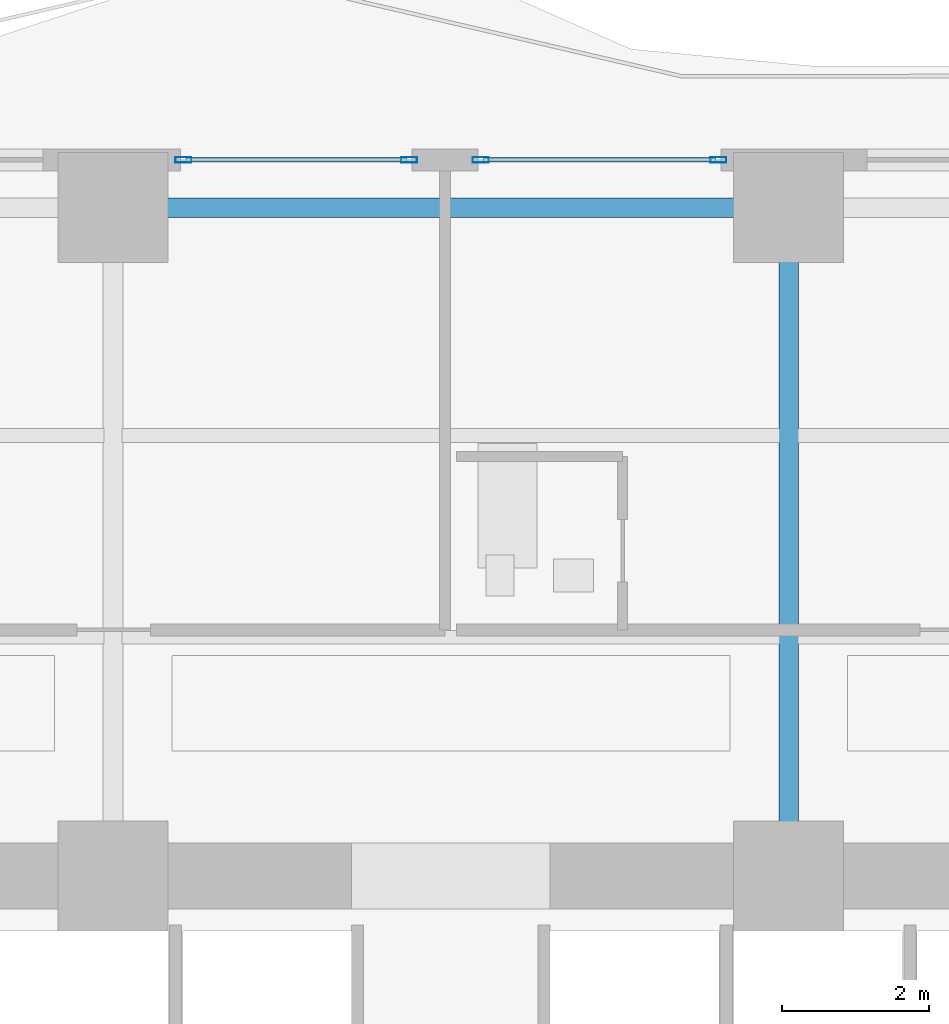
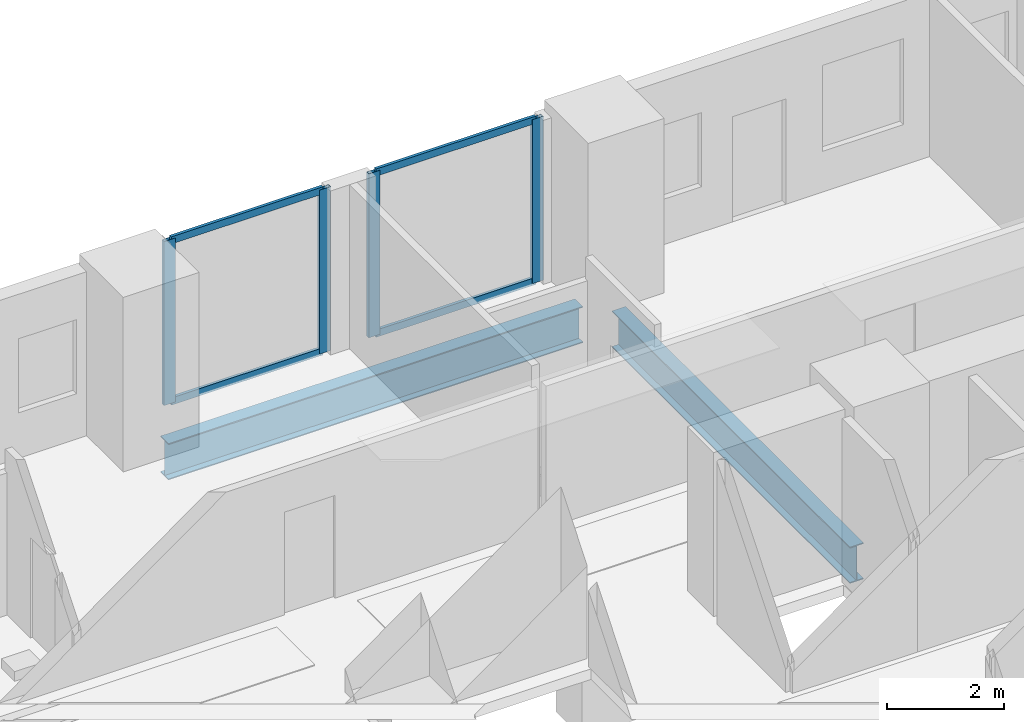
# One storey, part 15 of 28: 8 members, 2 beams, 2 elements without a shape of their own.
"""IFC4 building model written with IfcOpenShell, lengths in metres."""

import ifcopenshell
import ifcopenshell.guid

model = None  # the IFC model being written
_history = None  # IfcOwnerHistory: only IFC2X3 demands one
_inside = {}  # id of a spatial element -> (the spatial element, [elements in it])
_under = {}  # id of a project, library or spatial element -> (it, [spatial elements below it])
_declared = {}  # id of a project -> (the project, [libraries it declares])
_typed = {}  # id of a type object -> (the type object, [elements of that type])
_made_of = {}  # id of a material, layer set ... -> (it, [elements and type objects made of it])


def new_model(schema):
    """Start an empty IFC model of exactly this schema.

    Asked for "IFC4X3", IfcOpenShell would pick the latest addendum, in which some entities
    have other attributes; the version numbers below select the first issue.
    IFC2X3 requires an IfcOwnerHistory on every rooted entity: one is made here for all.
    """
    global model, _history
    if schema == "IFC4X3":
        model = ifcopenshell.file(schema_version=(4, 3, 0, 0))
    else:
        model = ifcopenshell.file(schema=schema)
    _inside.clear()
    _under.clear()
    _declared.clear()
    _typed.clear()
    _made_of.clear()
    _history = None
    if model.schema == "IFC2X3":
        org = make("IfcOrganization", Name="unknown")
        user = make(
            "IfcPersonAndOrganization",
            ThePerson=make("IfcPerson", FamilyName="unknown"),
            TheOrganization=org,
        )
        app = make(
            "IfcApplication",
            ApplicationDeveloper=org,
            Version="unknown",
            ApplicationFullName="unknown",
            ApplicationIdentifier="unknown",
        )
        _history = make(
            "IfcOwnerHistory",
            OwningUser=user,
            OwningApplication=app,
            ChangeAction="ADDED",
            CreationDate=0,
        )
    return model


def make(cls, **values):
    """One entity of the class cls with the attributes given. An attribute that is None is left unset."""
    return model.create_entity(
        cls, **{name: value for name, value in values.items() if value is not None}
    )


def rooted(cls, **values):
    """An entity with a GlobalId (a new one), such as an element, a storey or a relation."""
    return make(cls, GlobalId=ifcopenshell.guid.new(), OwnerHistory=_history, **values)


def si_unit(unit_type, name, prefix=None):
    """IfcSIUnit, for example si_unit("LENGTHUNIT", "METRE", prefix="MILLI")."""
    return make("IfcSIUnit", UnitType=unit_type, Prefix=prefix, Name=name)


def assignment(units):
    """IfcUnitAssignment: the units of a project."""
    return None if units is None else make("IfcUnitAssignment", Units=units)


def point(xyz):
    """IfcCartesianPoint."""
    return None if xyz is None else make("IfcCartesianPoint", Coordinates=xyz)


def direction(xyz):
    """IfcDirection."""
    return None if xyz is None else make("IfcDirection", DirectionRatios=xyz)


def frame(location, z_axis=None, x_axis=None):
    """IfcAxis2Placement3D, a coordinate frame: its origin and axes. An axis left out is left unset."""
    return make(
        "IfcAxis2Placement3D",
        Location=point(location),
        Axis=direction(z_axis),
        RefDirection=direction(x_axis),
    )


def frame_2d(location, x_axis=None):
    """IfcAxis2Placement2D, a coordinate frame in the plane: its origin and x axis."""
    return make(
        "IfcAxis2Placement2D", Location=point(location), RefDirection=direction(x_axis)
    )


def origin():
    """The frame at (0, 0, 0) with its axes left unset."""
    return frame((0.0, 0.0, 0.0))


def origin_2d():
    """The frame at (0, 0) in the plane with its x axis left unset."""
    return frame_2d((0.0, 0.0))


def place(relative_to, where):
    """IfcLocalPlacement: puts the frame where relative to a parent placement (None: the world)."""
    return make(
        "IfcLocalPlacement", PlacementRelTo=relative_to, RelativePlacement=where
    )


def context(
    kind, dimensions, precision=None, world=None, true_north=None, identifier=None
):
    """IfcGeometricRepresentationContext, for example the 3D "Model" context."""
    return make(
        "IfcGeometricRepresentationContext",
        ContextIdentifier=identifier,
        ContextType=kind,
        CoordinateSpaceDimension=dimensions,
        Precision=precision,
        WorldCoordinateSystem=world,
        TrueNorth=true_north,
    )


def subcontext(parent, identifier, kind, view, scale=None):
    """IfcGeometricRepresentationSubContext, for example "Body" below "Model"."""
    return make(
        "IfcGeometricRepresentationSubContext",
        ContextIdentifier=identifier,
        ContextType=kind,
        ParentContext=parent,
        TargetScale=scale,
        TargetView=view,
    )


def project(units=None, contexts=None):
    """IfcProject with its units and contexts."""
    return rooted(
        "IfcProject",
        Name="project",
        RepresentationContexts=contexts,
        UnitsInContext=assignment(units),
    )


def spatial(cls, under=None, at=None, **own):
    """A site, building, storey or space (cls), placed at a placement, below another one or the project."""
    s = rooted(cls, ObjectPlacement=at, **own)
    if under is not None:
        _under.setdefault(under.id(), (under, []))[1].append(s)
    return s


def profile(cls, at=None, kind="AREA", **sizes):
    """A parametric profile (cls). Its sizes go by their IFC names, for example OverallWidth=200.0."""
    return make(cls, ProfileType=kind, Position=at, **sizes)


def hollow_rectangle(**sizes):
    """IfcRectangleHollowProfileDef."""
    return profile("IfcRectangleHollowProfileDef", **sizes)


def i_section(**sizes):
    """IfcIShapeProfileDef."""
    return profile("IfcIShapeProfileDef", **sizes)


def extrude(swept, where, along, depth):
    """IfcExtrudedAreaSolid: the profile swept, set in the frame where, extruded along a direction by depth."""
    return make(
        "IfcExtrudedAreaSolid",
        SweptArea=swept,
        Position=where,
        ExtrudedDirection=direction(along),
        Depth=depth,
    )


def shape(context_of_items, identifier, shape_type, items):
    """IfcShapeRepresentation: the items that make up one representation, for example the "Body"."""
    return make(
        "IfcShapeRepresentation",
        ContextOfItems=context_of_items,
        RepresentationIdentifier=identifier,
        RepresentationType=shape_type,
        Items=items,
    )


def material(Name=None, Category=None):
    """IfcMaterial."""
    return make("IfcMaterial", Name=Name, Category=Category)


def layer(
    of_material, thickness, ventilated=None, Name=None, Category=None, Priority=None
):
    """IfcMaterialLayer: one layer of a wall or slab, of a material (None: an air gap)."""
    return make(
        "IfcMaterialLayer",
        Material=of_material,
        LayerThickness=thickness,
        IsVentilated=ventilated,
        Name=Name,
        Category=Category,
        Priority=Priority,
    )


def layer_set(layers, Name=None):
    """IfcMaterialLayerSet."""
    return make("IfcMaterialLayerSet", MaterialLayers=layers, LayerSetName=Name)


def material_profile(
    of_material, cross_section, Name=None, Category=None, Priority=None
):
    """IfcMaterialProfile: a cross section and its material."""
    return make(
        "IfcMaterialProfile",
        Name=Name,
        Material=of_material,
        Profile=cross_section,
        Priority=Priority,
        Category=Category,
    )


def profile_set(profiles, Name=None, composite=None):
    """IfcMaterialProfileSet."""
    return make(
        "IfcMaterialProfileSet",
        Name=Name,
        MaterialProfiles=profiles,
        CompositeProfile=composite,
    )


def made_of(thing, what):
    """Note that an element or type object is made of a material, layer set ...; save() writes the relation."""
    if what is not None:
        _made_of.setdefault(what.id(), (what, []))[1].append(thing)
    return thing


def type_object(cls, material=None, **own):
    """A type object (cls), such as IfcWallType, which elements share."""
    return made_of(rooted(cls, **own), material)


def element(
    cls,
    number,
    at=None,
    inside=None,
    cuts=None,
    type_object=None,
    material=None,
    context=None,
    identifier="Body",
    shape_type=None,
    held_by="IfcProductDefinitionShape",
    body=None,
    shapes=None,
    **own,
):
    """One element of the class cls, such as IfcWall. Its Tag is "e" and its number.

    at: its placement. inside: the storey or other place that contains it. cuts: it is an
    opening in that element (IfcRelVoidsElement). A single representation is given by context,
    identifier, shape_type and body (its items); several are given by shapes. held_by: the class
    of the entity that holds the representations. save() writes the other relations.
    """
    e = rooted(cls, Tag="e%d" % number, ObjectPlacement=at, **own)
    if body is not None:
        shapes = [shape(context, identifier, shape_type, body)]
    if shapes is not None:
        e.Representation = make(held_by, Representations=shapes)
    if inside is not None:
        _inside.setdefault(inside.id(), (inside, []))[1].append(e)
    if cuts is not None:
        rooted(
            "IfcRelVoidsElement", RelatingBuildingElement=cuts, RelatedOpeningElement=e
        )
    if type_object is not None:
        _typed.setdefault(type_object.id(), (type_object, []))[1].append(e)
    return made_of(e, material)


def aggregate(whole, parts):
    """IfcRelAggregates: a whole, such as a stair, and the parts it consists of."""
    return rooted("IfcRelAggregates", RelatingObject=whole, RelatedObjects=parts)


def save(model, path):
    """Write the relations noted so far, then the file.

    IfcRelAggregates (storeys below a building ...), IfcRelContainedInSpatialStructure (elements
    in a storey), IfcRelDefinesByType, IfcRelAssociatesMaterial and IfcRelDeclares: one each for
    every whole, place, type object, material and project.
    """
    for whole, parts in _under.values():
        aggregate(whole, parts)
    for where, things in _inside.values():
        rooted(
            "IfcRelContainedInSpatialStructure",
            RelatedElements=things,
            RelatingStructure=where,
        )
    for kind, things in _typed.values():
        rooted("IfcRelDefinesByType", RelatedObjects=things, RelatingType=kind)
    for what, things in _made_of.values():
        rooted("IfcRelAssociatesMaterial", RelatedObjects=things, RelatingMaterial=what)
    for by, libraries in _declared.values():
        rooted("IfcRelDeclares", RelatingContext=by, RelatedDefinitions=libraries)
    model.write(path)


model = new_model("IFC4")

# Units and contexts
model_context = context("Model", 3, precision=1e-05, world=origin(), true_north=direction((0.0, 1.0)))
body_context = subcontext(model_context, "Body", "Model", "MODEL_VIEW")
ifc_project = project(units=[si_unit("LENGTHUNIT", "METRE"), si_unit("AREAUNIT", "SQUARE_METRE"), si_unit("VOLUMEUNIT", "CUBIC_METRE"), si_unit("PLANEANGLEUNIT", "RADIAN"), si_unit("MASSUNIT", "GRAM", prefix="KILO")], contexts=[model_context])

# Site, building, storey
site_placement = place(None, origin())
site = spatial("IfcSite", under=ifc_project, at=site_placement, CompositionType="ELEMENT")
building_placement = place(site_placement, origin())
building = spatial("IfcBuilding", under=site, at=building_placement, Name="Zuhayl Quay Hotel", CompositionType="ELEMENT")
storey_placement = place(building_placement, frame((0.0, 0.0, 71.39990234375)))
storey = spatial("IfcBuildingStorey", under=building, at=storey_placement, Name="L17", CompositionType="ELEMENT", Elevation=71.39990234375)

# Beams
ifc_material_1 = material(Name="Steel ASTM A992 Grade 50", Category="steel")
ifc_material_profile_1 = material_profile(ifc_material_1, i_section(OverallWidth=0.26708984375, OverallDepth=0.761962890625, WebThickness=0.014404296875, FlangeThickness=0.021484375, at=origin_2d()), Name="W30X116")
ifc_profile_set_1 = profile_set([ifc_material_profile_1], Name="Steel ASTM A992 Grade 50")
beam_type = type_object("IfcBeamType", Name="BM_B1_W30X116", PredefinedType="BEAM", material=ifc_profile_set_1)
beam_1_placement = place(storey_placement, frame((4.10009765625, 22.449951171875, -0.600830078125), z_axis=(-1.0, 0.0, 0.0), x_axis=(0.0, -1.0, 0.0)))
element("IfcBeam", 1, at=beam_1_placement, inside=storey, type_object=beam_type, Name="L17 Floor Beam RG_L17_08", PredefinedType="BEAM", context=body_context, shape_type="SweptSolid", body=[
    extrude(i_section(OverallWidth=0.26708984375, OverallDepth=0.761962890625, WebThickness=0.014404296875, FlangeThickness=0.021484375, at=origin_2d()), origin(), (0.0, 0.0, 1.0), 8.2001953125),
])
beam_2_placement = place(storey_placement, frame((4.60009765625, 13.800048828125, -0.600830078125), z_axis=(0.0, 1.0, 0.0), x_axis=(-1.0, 0.0, 0.0)))
element("IfcBeam", 2, at=beam_2_placement, inside=storey, type_object=beam_type, Name="L17 Floor Beam FG_N_L17_3", PredefinedType="BEAM", context=body_context, shape_type="SweptSolid", body=[
    extrude(i_section(OverallWidth=0.26708984375, OverallDepth=0.761962890625, WebThickness=0.014404296875, FlangeThickness=0.021484375, at=origin_2d()), origin(), (0.0, 0.0, 1.0), 8.14990234375),
])

# Curtain wall, members
ifc_material_2 = material(Name="Anodised Aluminium 6063-T6", Category="aluminium")
ifc_layer = layer(ifc_material_2, 0.18994140625, Name="Anodised Aluminium 6063-T6", Category="aluminium")
ifc_layer_set = layer_set([ifc_layer], Name="Anodised Aluminium 6063-T6")
curtain_wall_type = type_object("IfcCurtainWallType", Name="CW_SYS_Z1", PredefinedType="USERDEFINED", material=ifc_layer_set)
curtain_wall_1_placement = place(storey_placement, origin())
curtain_wall_1 = element("IfcCurtainWall", 3, at=curtain_wall_1_placement, inside=storey, type_object=curtain_wall_type, Name="L17 Curtain Wall ENV_L17_N_CW2", ObjectType="UNITISED CURTAIN WALL", PredefinedType="USERDEFINED")
ifc_material_3 = material(Name="Black-anodised aluminium 6063-T6", Category="aluminium")
ifc_material_profile_2 = material_profile(ifc_material_3, hollow_rectangle(XDim=0.074951171875, YDim=0.219970703125, WallThickness=0.00390625, at=origin_2d()), Name="ALU220X75")
ifc_profile_set_2 = profile_set([ifc_material_profile_2], Name="Black-anodised aluminium 6063-T6")
member_type_1 = type_object("IfcMemberType", Name="MB_CW_MUL_220", PredefinedType="MULLION", material=ifc_profile_set_2)
member_1_placement = place(storey_placement, frame((-3.642578125, 23.10009765625, 0.0), z_axis=(0.0, 0.0, 1.0), x_axis=(0.0, 1.0, 0.0)))
member_1 = element("IfcMember", 4, at=member_1_placement, type_object=member_type_1, Name="CW-Z1 mullion 1", PredefinedType="MULLION", context=body_context, shape_type="SweptSolid", body=[
    extrude(hollow_rectangle(XDim=0.074951171875, YDim=0.219970703125, WallThickness=0.00390625, at=origin_2d()), origin(), (0.0, 0.0, 1.0), 3.43017578125),
])
member_2_placement = place(storey_placement, frame((-0.5673828125, 23.10009765625, 0.0), z_axis=(0.0, 0.0, 1.0), x_axis=(0.0, 1.0, 0.0)))
member_2 = element("IfcMember", 5, at=member_2_placement, type_object=member_type_1, Name="CW-Z1 mullion 2", PredefinedType="MULLION", context=body_context, shape_type="SweptSolid", body=[
    extrude(hollow_rectangle(XDim=0.074951171875, YDim=0.219970703125, WallThickness=0.00390625, at=origin_2d()), origin(), (0.0, 0.0, 1.0), 3.43017578125),
])

curtain_wall_2_placement = place(storey_placement, origin())
curtain_wall_2 = element("IfcCurtainWall", 6, at=curtain_wall_2_placement, inside=storey, type_object=curtain_wall_type, Name="L17 Curtain Wall ENV_L17_N_CW3", ObjectType="UNITISED CURTAIN WALL", PredefinedType="USERDEFINED")
member_3_placement = place(storey_placement, frame((0.407470703125, 23.10009765625, 0.0), z_axis=(0.0, 0.0, 1.0), x_axis=(0.0, 1.0, 0.0)))
member_3 = element("IfcMember", 7, at=member_3_placement, type_object=member_type_1, Name="CW-Z1 mullion 1", PredefinedType="MULLION", context=body_context, shape_type="SweptSolid", body=[
    extrude(hollow_rectangle(XDim=0.074951171875, YDim=0.219970703125, WallThickness=0.00390625, at=origin_2d()), origin(), (0.0, 0.0, 1.0), 3.43017578125),
])
member_4_placement = place(storey_placement, frame((3.642578125, 23.10009765625, 0.0), z_axis=(0.0, 0.0, 1.0), x_axis=(0.0, 1.0, 0.0)))
member_4 = element("IfcMember", 8, at=member_4_placement, type_object=member_type_1, Name="CW-Z1 mullion 2", PredefinedType="MULLION", context=body_context, shape_type="SweptSolid", body=[
    extrude(hollow_rectangle(XDim=0.074951171875, YDim=0.219970703125, WallThickness=0.00390625, at=origin_2d()), origin(), (0.0, 0.0, 1.0), 3.43017578125),
])

# Member
ifc_material_profile_3 = material_profile(ifc_material_3, hollow_rectangle(XDim=0.06005859375, YDim=0.14990234375, WallThickness=0.00341796875, at=origin_2d()), Name="ALU150X60")
ifc_profile_set_3 = profile_set([ifc_material_profile_3], Name="Black-anodised aluminium 6063-T6")
member_type_2 = type_object("IfcMemberType", Name="MB_CW_TRN_150", PredefinedType="USERDEFINED", material=ifc_profile_set_3)
member_5_placement = place(storey_placement, frame((-3.60498046875, 23.10009765625, 0.030029296875), z_axis=(1.0, 0.0, 0.0), x_axis=(0.0, 1.0, 0.0)))
member_5 = element("IfcMember", 9, at=member_5_placement, type_object=member_type_2, Name="CW-Z1 transom 1.1", ObjectType="TRANSOM", PredefinedType="USERDEFINED", context=body_context, shape_type="SweptSolid", body=[
    extrude(hollow_rectangle(XDim=0.06005859375, YDim=0.14990234375, WallThickness=0.00341796875, at=origin_2d()), origin(), (0.0, 0.0, 1.0), 3.0),
])

member_6_placement = place(storey_placement, frame((-3.60498046875, 23.10009765625, 3.400146484375), z_axis=(1.0, 0.0, 0.0), x_axis=(0.0, 1.0, 0.0)))
member_6 = element("IfcMember", 10, at=member_6_placement, type_object=member_type_2, Name="CW-Z1 transom 1.2", ObjectType="TRANSOM", PredefinedType="USERDEFINED", context=body_context, shape_type="SweptSolid", body=[
    extrude(hollow_rectangle(XDim=0.06005859375, YDim=0.14990234375, WallThickness=0.00341796875, at=origin_2d()), origin(), (0.0, 0.0, 1.0), 3.0),
])

aggregate(curtain_wall_1, [member_1, member_2, member_5, member_6])

member_7_placement = place(storey_placement, frame((0.445068359375, 23.10009765625, 0.030029296875), z_axis=(1.0, 0.0, 0.0), x_axis=(0.0, 1.0, 0.0)))
member_7 = element("IfcMember", 11, at=member_7_placement, type_object=member_type_2, Name="CW-Z1 transom 1.1", ObjectType="TRANSOM", PredefinedType="USERDEFINED", context=body_context, shape_type="SweptSolid", body=[
    extrude(hollow_rectangle(XDim=0.06005859375, YDim=0.14990234375, WallThickness=0.00341796875, at=origin_2d()), origin(), (0.0, 0.0, 1.0), 3.159912109375),
])

member_8_placement = place(storey_placement, frame((0.445068359375, 23.10009765625, 3.400146484375), z_axis=(1.0, 0.0, 0.0), x_axis=(0.0, 1.0, 0.0)))
member_8 = element("IfcMember", 12, at=member_8_placement, type_object=member_type_2, Name="CW-Z1 transom 1.2", ObjectType="TRANSOM", PredefinedType="USERDEFINED", context=body_context, shape_type="SweptSolid", body=[
    extrude(hollow_rectangle(XDim=0.06005859375, YDim=0.14990234375, WallThickness=0.00341796875, at=origin_2d()), origin(), (0.0, 0.0, 1.0), 3.159912109375),
])

aggregate(curtain_wall_2, [member_3, member_4, member_7, member_8])

save(model, "model.ifc")
